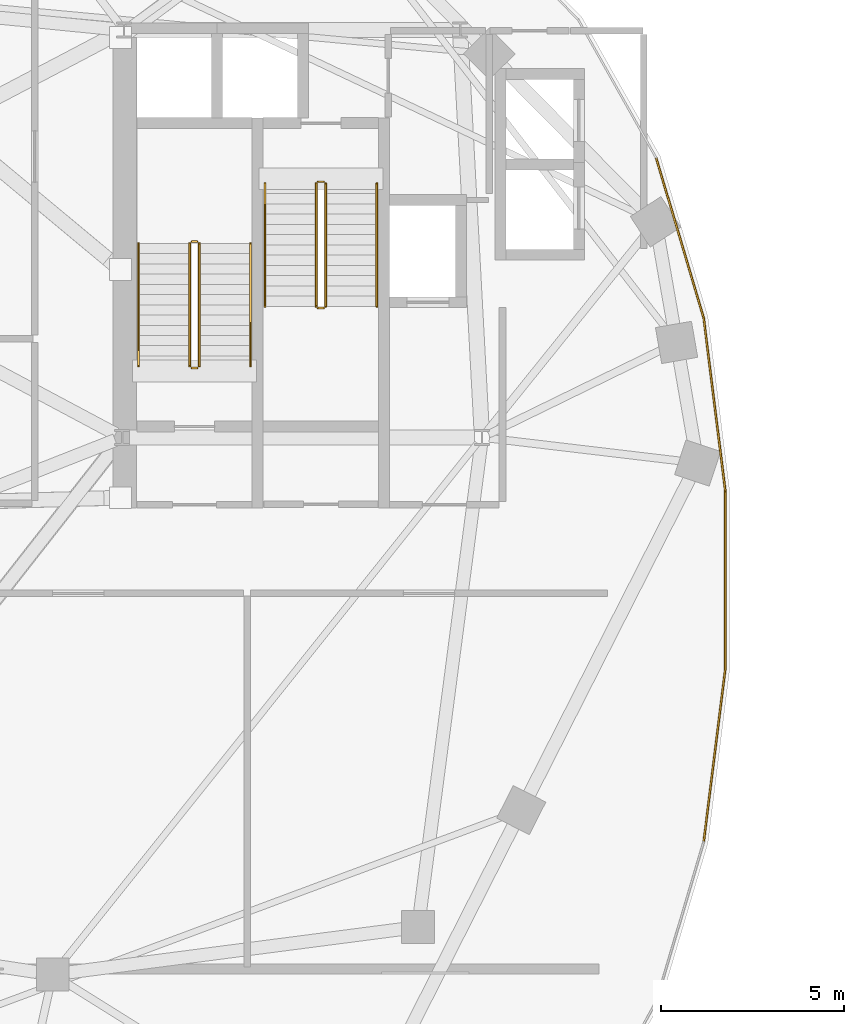
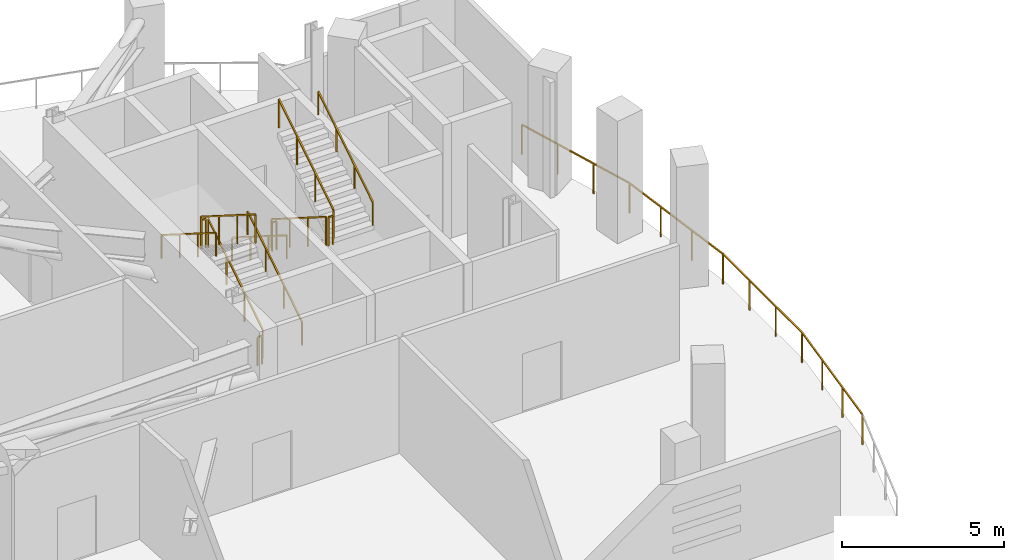
# One storey, part 11 of 14: 14 railings.
"""IFC4 building model written with IfcOpenShell, lengths in metres."""

from ifc_helpers import new_model, si_unit, direction, frame, origin, origin_2d, place, context, subcontext, project, spatial, rectangle, extrude, material, type_object, element, save


model = new_model("IFC4")

# Units and contexts
model_context = context("Model", 3, precision=1e-05, world=origin(), true_north=direction((0.0, 1.0)))
body_context = subcontext(model_context, "Body", "Model", "MODEL_VIEW")
ifc_project = project(units=[si_unit("LENGTHUNIT", "METRE"), si_unit("AREAUNIT", "SQUARE_METRE"), si_unit("VOLUMEUNIT", "CUBIC_METRE"), si_unit("PLANEANGLEUNIT", "RADIAN"), si_unit("MASSUNIT", "GRAM", prefix="KILO"), si_unit("THERMODYNAMICTEMPERATUREUNIT", "KELVIN"), si_unit("POWERUNIT", "WATT")], contexts=[model_context])

# Site, building, storey
site_placement = place(None, origin())
site = spatial("IfcSite", under=ifc_project, at=site_placement, CompositionType="ELEMENT")
building_placement = place(site_placement, origin())
building = spatial("IfcBuilding", under=site, at=building_placement, Name="Cundina Bronze Exchange", CompositionType="ELEMENT")
storey_placement = place(building_placement, frame((0.0, 0.0, 187.199951171875)))
storey = spatial("IfcBuildingStorey", under=building, at=storey_placement, Name="L49", CompositionType="ELEMENT", Elevation=187.199951171875)

# Railings
ifc_material_1 = material(Name="Anodised Bronze Aluminium 6063-T6", Category="aluminium")
railing_type_1 = type_object("IfcRailingType", Name="RLG-GRD-1150", PredefinedType="GUARDRAIL", material=ifc_material_1)
railing_1_placement = place(storey_placement, frame((-14.791015625, 2.43359375, 0.0)))
element("IfcRailing", 1, at=railing_1_placement, inside=storey, type_object=railing_type_1, Name="L49 Perimeter Safety Guardrail 01", PredefinedType="GUARDRAIL", context=body_context, shape_type="SweptSolid", body=[
    extrude(rectangle(XDim=0.048095703125, YDim=0.048095703125, at=origin_2d()), frame((0.0, 0.0, 1.1259765625), z_axis=(0.0, -1.0, 0.0), x_axis=(1.0, 0.0, 0.0)), (0.0, 0.0, 1.0), 4.8671875),
    extrude(rectangle(XDim=0.048095703125, YDim=0.048095703125, at=origin_2d()), frame((0.0, -4.8671875, 1.1259765625), z_axis=(-0.123846086367, -0.992301439529, 0.0), x_axis=(0.992301439529, -0.123846086367, 0.0)), (0.0, 0.0, 1.0), 4.778564453125),
    extrude(rectangle(XDim=0.0419921875, YDim=0.0419921875, at=origin_2d()), origin(), (0.0, 0.0, 1.0), 1.101806640625),
    extrude(rectangle(XDim=0.0419921875, YDim=0.0419921875, at=origin_2d()), frame((0.0, -1.622314453125, 0.0)), (0.0, 0.0, 1.0), 1.101806640625),
    extrude(rectangle(XDim=0.0419921875, YDim=0.0419921875, at=origin_2d()), frame((0.0, -3.244873046875, 0.0)), (0.0, 0.0, 1.0), 1.101806640625),
    extrude(rectangle(XDim=0.0419921875, YDim=0.0419921875, at=origin_2d()), frame((0.0, -4.8671875, 0.0)), (0.0, 0.0, 1.0), 1.101806640625),
    extrude(rectangle(XDim=0.0419921875, YDim=0.0419921875, at=origin_2d()), frame((-0.197265625, -6.44775390625, 0.0)), (0.0, 0.0, 1.0), 1.101806640625),
    extrude(rectangle(XDim=0.0419921875, YDim=0.0419921875, at=origin_2d()), frame((-0.39453125, -8.0283203125, 0.0)), (0.0, 0.0, 1.0), 1.101806640625),
    extrude(rectangle(XDim=0.0419921875, YDim=0.0419921875, at=origin_2d()), frame((-0.591796875, -9.60888671875, 0.0)), (0.0, 0.0, 1.0), 1.101806640625),
])
railing_2_placement = place(storey_placement, frame((-16.68310546875, 11.55078125, 0.0)))
element("IfcRailing", 2, at=railing_2_placement, inside=storey, type_object=railing_type_1, Name="L49 Perimeter Safety Guardrail 14", PredefinedType="GUARDRAIL", context=body_context, shape_type="SweptSolid", body=[
    extrude(rectangle(XDim=0.048095703125, YDim=0.048095703125, at=origin_2d()), frame((0.0, 0.0, 1.1259765625), z_axis=(0.284864013169, -0.958567939168, 0.0), x_axis=(0.958567939168, 0.284864013169, 0.0)), (0.0, 0.0, 1.0), 4.564697265625),
    extrude(rectangle(XDim=0.048095703125, YDim=0.048095703125, at=origin_2d()), frame((1.30029296875, -4.37548828125, 1.1259765625), z_axis=(0.123846086367, -0.992301439529, 0.0), x_axis=(0.992301439529, 0.123846086367, 0.0)), (0.0, 0.0, 1.0), 4.778564453125),
    extrude(rectangle(XDim=0.0419921875, YDim=0.0419921875, at=origin_2d()), origin(), (0.0, 0.0, 1.0), 1.101806640625),
    extrude(rectangle(XDim=0.0419921875, YDim=0.0419921875, at=origin_2d()), frame((0.433349609375, -1.45849609375, 0.0)), (0.0, 0.0, 1.0), 1.101806640625),
    extrude(rectangle(XDim=0.0419921875, YDim=0.0419921875, at=origin_2d()), frame((0.866943359375, -2.9169921875, 0.0)), (0.0, 0.0, 1.0), 1.101806640625),
    extrude(rectangle(XDim=0.0419921875, YDim=0.0419921875, at=origin_2d()), frame((1.30029296875, -4.37548828125, 0.0)), (0.0, 0.0, 1.0), 1.101806640625),
    extrude(rectangle(XDim=0.0419921875, YDim=0.0419921875, at=origin_2d()), frame((1.49755859375, -5.9560546875, 0.0)), (0.0, 0.0, 1.0), 1.101806640625),
    extrude(rectangle(XDim=0.0419921875, YDim=0.0419921875, at=origin_2d()), frame((1.69482421875, -7.53662109375, 0.0)), (0.0, 0.0, 1.0), 1.101806640625),
    extrude(rectangle(XDim=0.0419921875, YDim=0.0419921875, at=origin_2d()), frame((1.89208984375, -9.1171875, 0.0)), (0.0, 0.0, 1.0), 1.101806640625),
])
ifc_material_2 = material(Name="Steel ASTM A36 Painted", Category="steel")
railing_type_2 = type_object("IfcRailingType", Name="RLG-HND-900", PredefinedType="HANDRAIL", material=ifc_material_2)
railing_3_placement = place(storey_placement, frame((-27.7900390625, 5.85009765625, 0.177001953125)))
element("IfcRailing", 3, at=railing_3_placement, inside=storey, type_object=railing_type_2, Name="L49 ST-W1 stair handrail 1", PredefinedType="HANDRAIL", context=body_context, shape_type="SweptSolid", body=[
    extrude(rectangle(XDim=0.048095703125, YDim=0.048095703125, at=origin_2d()), frame((0.0, 0.0, 0.8759765625), z_axis=(0.0, 0.845372108799, 0.534177870812), x_axis=(-1.0, 0.0, 0.0)), (0.0, 0.0, 1.0), 3.974365234375),
    extrude(rectangle(XDim=0.0419921875, YDim=0.0419921875, at=origin_2d()), origin(), (0.0, 0.0, 1.0), 0.851806640625),
    extrude(rectangle(XDim=0.0419921875, YDim=0.0419921875, at=origin_2d()), frame((0.0, 1.119873046875, 0.707763671875)), (0.0, 0.0, 1.0), 0.851806640625),
    extrude(rectangle(XDim=0.0419921875, YDim=0.0419921875, at=origin_2d()), frame((0.0, 2.239990234375, 1.415283203125)), (0.0, 0.0, 1.0), 0.851806640625),
    extrude(rectangle(XDim=0.0419921875, YDim=0.0419921875, at=origin_2d()), frame((0.0, 3.35986328125, 2.123046875)), (0.0, 0.0, 1.0), 0.851806640625),
])
railing_4_placement = place(storey_placement, frame((-30.85009765625, 9.2099609375, 2.47705078125)))
element("IfcRailing", 4, at=railing_4_placement, inside=storey, type_object=railing_type_2, Name="L49 ST-W1 stair handrail 2", PredefinedType="HANDRAIL", context=body_context, shape_type="SweptSolid", body=[
    extrude(rectangle(XDim=0.048095703125, YDim=0.048095703125, at=origin_2d()), frame((0.0, 0.0, 0.8759765625), z_axis=(0.0, -0.845372108799, 0.534177870812), x_axis=(1.0, 0.0, 0.0)), (0.0, 0.0, 1.0), 3.974365234375),
    extrude(rectangle(XDim=0.0419921875, YDim=0.0419921875, at=origin_2d()), origin(), (0.0, 0.0, 1.0), 0.851806640625),
    extrude(rectangle(XDim=0.0419921875, YDim=0.0419921875, at=origin_2d()), frame((0.0, -1.119873046875, 0.707763671875)), (0.0, 0.0, 1.0), 0.851806640625),
    extrude(rectangle(XDim=0.0419921875, YDim=0.0419921875, at=origin_2d()), frame((0.0, -2.239990234375, 1.415283203125)), (0.0, 0.0, 1.0), 0.851806640625),
    extrude(rectangle(XDim=0.0419921875, YDim=0.0419921875, at=origin_2d()), frame((0.0, -3.35986328125, 2.123046875)), (0.0, 0.0, 1.0), 0.851806640625),
])
railing_5_placement = place(storey_placement, frame((-27.389892578125, 10.85009765625, 0.177001953125)))
element("IfcRailing", 5, at=railing_5_placement, inside=storey, type_object=railing_type_2, Name="L49 ST-W2 stair handrail 1", PredefinedType="HANDRAIL", context=body_context, shape_type="SweptSolid", body=[
    extrude(rectangle(XDim=0.048095703125, YDim=0.048095703125, at=origin_2d()), frame((0.0, 0.0, 0.8759765625), z_axis=(0.0, -0.845389635667, 0.534150132366), x_axis=(1.0, 0.0, 0.0)), (0.0, 0.0, 1.0), 3.974609375),
    extrude(rectangle(XDim=0.0419921875, YDim=0.0419921875, at=origin_2d()), origin(), (0.0, 0.0, 1.0), 0.851806640625),
    extrude(rectangle(XDim=0.0419921875, YDim=0.0419921875, at=origin_2d()), frame((0.0, -1.1201171875, 0.707763671875)), (0.0, 0.0, 1.0), 0.851806640625),
    extrude(rectangle(XDim=0.0419921875, YDim=0.0419921875, at=origin_2d()), frame((0.0, -2.239990234375, 1.415283203125)), (0.0, 0.0, 1.0), 0.851806640625),
    extrude(rectangle(XDim=0.0419921875, YDim=0.0419921875, at=origin_2d()), frame((0.0, -3.360107421875, 2.123046875)), (0.0, 0.0, 1.0), 0.851806640625),
])
railing_6_placement = place(storey_placement, frame((-24.330078125, 7.489990234375, 2.47705078125)))
element("IfcRailing", 6, at=railing_6_placement, inside=storey, type_object=railing_type_2, Name="L49 ST-W2 stair handrail 2", PredefinedType="HANDRAIL", context=body_context, shape_type="SweptSolid", body=[
    extrude(rectangle(XDim=0.048095703125, YDim=0.048095703125, at=origin_2d()), frame((0.0, 0.0, 0.8759765625), z_axis=(0.0, 0.845389635667, 0.534150132366), x_axis=(-1.0, 0.0, 0.0)), (0.0, 0.0, 1.0), 3.974609375),
    extrude(rectangle(XDim=0.0419921875, YDim=0.0419921875, at=origin_2d()), origin(), (0.0, 0.0, 1.0), 0.851806640625),
    extrude(rectangle(XDim=0.0419921875, YDim=0.0419921875, at=origin_2d()), frame((0.0, 1.1201171875, 0.707763671875)), (0.0, 0.0, 1.0), 0.851806640625),
    extrude(rectangle(XDim=0.0419921875, YDim=0.0419921875, at=origin_2d()), frame((0.0, 2.239990234375, 1.415283203125)), (0.0, 0.0, 1.0), 0.851806640625),
    extrude(rectangle(XDim=0.0419921875, YDim=0.0419921875, at=origin_2d()), frame((0.0, 3.360107421875, 2.123046875)), (0.0, 0.0, 1.0), 0.851806640625),
])
railing_type_3 = type_object("IfcRailingType", Name="RLG-STG-1100", PredefinedType="GUARDRAIL", material=ifc_material_2)
railing_7_placement = place(storey_placement, frame((-29.18994140625, 5.85009765625, 0.177001953125)))
element("IfcRailing", 7, at=railing_7_placement, inside=storey, type_object=railing_type_3, Name="L49 ST-W1 stair guard 1", PredefinedType="GUARDRAIL", context=body_context, shape_type="SweptSolid", body=[
    extrude(rectangle(XDim=0.048095703125, YDim=0.048095703125, at=origin_2d()), frame((0.0, 0.0, 1.076171875), z_axis=(0.0, 0.845372108799, 0.534177870812), x_axis=(-1.0, 0.0, 0.0)), (0.0, 0.0, 1.0), 3.974365234375),
    extrude(rectangle(XDim=0.0419921875, YDim=0.0419921875, at=origin_2d()), origin(), (0.0, 0.0, 1.0), 1.052001953125),
    extrude(rectangle(XDim=0.0419921875, YDim=0.0419921875, at=origin_2d()), frame((0.0, 1.119873046875, 0.707763671875)), (0.0, 0.0, 1.0), 1.052001953125),
    extrude(rectangle(XDim=0.0419921875, YDim=0.0419921875, at=origin_2d()), frame((0.0, 2.239990234375, 1.415283203125)), (0.0, 0.0, 1.0), 1.052001953125),
    extrude(rectangle(XDim=0.0419921875, YDim=0.0419921875, at=origin_2d()), frame((0.0, 3.35986328125, 2.123046875)), (0.0, 0.0, 1.0), 1.052001953125),
])
railing_8_placement = place(storey_placement, frame((-29.239990234375, 9.260009765625, 2.300048828125)))
element("IfcRailing", 8, at=railing_8_placement, inside=storey, type_object=railing_type_3, Name="L49 ST-W1 stair guard 2", PredefinedType="GUARDRAIL", context=body_context, shape_type="SweptSolid", body=[
    extrude(rectangle(XDim=0.048095703125, YDim=0.048095703125, at=origin_2d()), frame((0.0, 0.0, 1.076171875), z_axis=(-1.0, 0.0, 0.0), x_axis=(0.0, -1.0, 0.0)), (0.0, 0.0, 1.0), 0.159912109375),
    extrude(rectangle(XDim=0.0419921875, YDim=0.0419921875, at=origin_2d()), origin(), (0.0, 0.0, 1.0), 1.052001953125),
    extrude(rectangle(XDim=0.0419921875, YDim=0.0419921875, at=origin_2d()), frame((-0.159912109375, 0.0, 0.0)), (0.0, 0.0, 1.0), 1.052001953125),
])
railing_9_placement = place(storey_placement, frame((-29.449951171875, 9.2099609375, 2.47705078125)))
element("IfcRailing", 9, at=railing_9_placement, inside=storey, type_object=railing_type_3, Name="L49 ST-W1 stair guard 3", PredefinedType="GUARDRAIL", context=body_context, shape_type="SweptSolid", body=[
    extrude(rectangle(XDim=0.048095703125, YDim=0.048095703125, at=origin_2d()), frame((0.0, 0.0, 1.076171875), z_axis=(0.0, -0.845372108799, 0.534177870812), x_axis=(1.0, 0.0, 0.0)), (0.0, 0.0, 1.0), 3.974365234375),
    extrude(rectangle(XDim=0.0419921875, YDim=0.0419921875, at=origin_2d()), origin(), (0.0, 0.0, 1.0), 1.052001953125),
    extrude(rectangle(XDim=0.0419921875, YDim=0.0419921875, at=origin_2d()), frame((0.0, -1.119873046875, 0.707763671875)), (0.0, 0.0, 1.0), 1.052001953125),
    extrude(rectangle(XDim=0.0419921875, YDim=0.0419921875, at=origin_2d()), frame((0.0, -2.239990234375, 1.415283203125)), (0.0, 0.0, 1.0), 1.052001953125),
    extrude(rectangle(XDim=0.0419921875, YDim=0.0419921875, at=origin_2d()), frame((0.0, -3.35986328125, 2.123046875)), (0.0, 0.0, 1.0), 1.052001953125),
])
railing_10_placement = place(storey_placement, frame((-29.239990234375, 5.800048828125, 0.0)))
element("IfcRailing", 10, at=railing_10_placement, inside=storey, type_object=railing_type_3, Name="L49 ST-W1 stair guard 4", PredefinedType="GUARDRAIL", context=body_context, shape_type="SweptSolid", body=[
    extrude(rectangle(XDim=0.048095703125, YDim=0.048095703125, at=origin_2d()), frame((0.0, 0.0, 1.076171875), z_axis=(-1.0, 0.0, 0.0), x_axis=(0.0, -1.0, 0.0)), (0.0, 0.0, 1.0), 0.159912109375),
    extrude(rectangle(XDim=0.0419921875, YDim=0.0419921875, at=origin_2d()), origin(), (0.0, 0.0, 1.0), 1.052001953125),
    extrude(rectangle(XDim=0.0419921875, YDim=0.0419921875, at=origin_2d()), frame((-0.159912109375, 0.0, 0.0)), (0.0, 0.0, 1.0), 1.052001953125),
])
railing_11_placement = place(storey_placement, frame((-25.989990234375, 10.85009765625, 0.177001953125)))
element("IfcRailing", 11, at=railing_11_placement, inside=storey, type_object=railing_type_3, Name="L49 ST-W2 stair guard 1", PredefinedType="GUARDRAIL", context=body_context, shape_type="SweptSolid", body=[
    extrude(rectangle(XDim=0.048095703125, YDim=0.048095703125, at=origin_2d()), frame((0.0, 0.0, 1.076171875), z_axis=(0.0, -0.845389635667, 0.534150132366), x_axis=(1.0, 0.0, 0.0)), (0.0, 0.0, 1.0), 3.974609375),
    extrude(rectangle(XDim=0.0419921875, YDim=0.0419921875, at=origin_2d()), origin(), (0.0, 0.0, 1.0), 1.052001953125),
    extrude(rectangle(XDim=0.0419921875, YDim=0.0419921875, at=origin_2d()), frame((0.0, -1.1201171875, 0.707763671875)), (0.0, 0.0, 1.0), 1.052001953125),
    extrude(rectangle(XDim=0.0419921875, YDim=0.0419921875, at=origin_2d()), frame((0.0, -2.239990234375, 1.415283203125)), (0.0, 0.0, 1.0), 1.052001953125),
    extrude(rectangle(XDim=0.0419921875, YDim=0.0419921875, at=origin_2d()), frame((0.0, -3.360107421875, 2.123046875)), (0.0, 0.0, 1.0), 1.052001953125),
])
railing_12_placement = place(storey_placement, frame((-25.93994140625, 7.43994140625, 2.300048828125)))
element("IfcRailing", 12, at=railing_12_placement, inside=storey, type_object=railing_type_3, Name="L49 ST-W2 stair guard 2", PredefinedType="GUARDRAIL", context=body_context, shape_type="SweptSolid", body=[
    extrude(rectangle(XDim=0.048095703125, YDim=0.048095703125, at=origin_2d()), frame((0.0, 0.0, 1.076171875), z_axis=(1.0, 0.0, 0.0), x_axis=(0.0, 1.0, 0.0)), (0.0, 0.0, 1.0), 0.159912109375),
    extrude(rectangle(XDim=0.0419921875, YDim=0.0419921875, at=origin_2d()), origin(), (0.0, 0.0, 1.0), 1.052001953125),
    extrude(rectangle(XDim=0.0419921875, YDim=0.0419921875, at=origin_2d()), frame((0.159912109375, 0.0, 0.0)), (0.0, 0.0, 1.0), 1.052001953125),
])
railing_13_placement = place(storey_placement, frame((-25.72998046875, 7.489990234375, 2.47705078125)))
element("IfcRailing", 13, at=railing_13_placement, inside=storey, type_object=railing_type_3, Name="L49 ST-W2 stair guard 3", PredefinedType="GUARDRAIL", context=body_context, shape_type="SweptSolid", body=[
    extrude(rectangle(XDim=0.048095703125, YDim=0.048095703125, at=origin_2d()), frame((0.0, 0.0, 1.076171875), z_axis=(0.0, 0.845389635667, 0.534150132366), x_axis=(-1.0, 0.0, 0.0)), (0.0, 0.0, 1.0), 3.974609375),
    extrude(rectangle(XDim=0.0419921875, YDim=0.0419921875, at=origin_2d()), origin(), (0.0, 0.0, 1.0), 1.052001953125),
    extrude(rectangle(XDim=0.0419921875, YDim=0.0419921875, at=origin_2d()), frame((0.0, 1.1201171875, 0.707763671875)), (0.0, 0.0, 1.0), 1.052001953125),
    extrude(rectangle(XDim=0.0419921875, YDim=0.0419921875, at=origin_2d()), frame((0.0, 2.239990234375, 1.415283203125)), (0.0, 0.0, 1.0), 1.052001953125),
    extrude(rectangle(XDim=0.0419921875, YDim=0.0419921875, at=origin_2d()), frame((0.0, 3.360107421875, 2.123046875)), (0.0, 0.0, 1.0), 1.052001953125),
])
railing_14_placement = place(storey_placement, frame((-25.93994140625, 10.89990234375, 0.0)))
element("IfcRailing", 14, at=railing_14_placement, inside=storey, type_object=railing_type_3, Name="L49 ST-W2 stair guard 4", PredefinedType="GUARDRAIL", context=body_context, shape_type="SweptSolid", body=[
    extrude(rectangle(XDim=0.048095703125, YDim=0.048095703125, at=origin_2d()), frame((0.0, 0.0, 1.076171875), z_axis=(1.0, 0.0, 0.0), x_axis=(0.0, 1.0, 0.0)), (0.0, 0.0, 1.0), 0.159912109375),
    extrude(rectangle(XDim=0.0419921875, YDim=0.0419921875, at=origin_2d()), origin(), (0.0, 0.0, 1.0), 1.052001953125),
    extrude(rectangle(XDim=0.0419921875, YDim=0.0419921875, at=origin_2d()), frame((0.159912109375, 0.0, 0.0)), (0.0, 0.0, 1.0), 1.052001953125),
])

save(model, "model.ifc")
